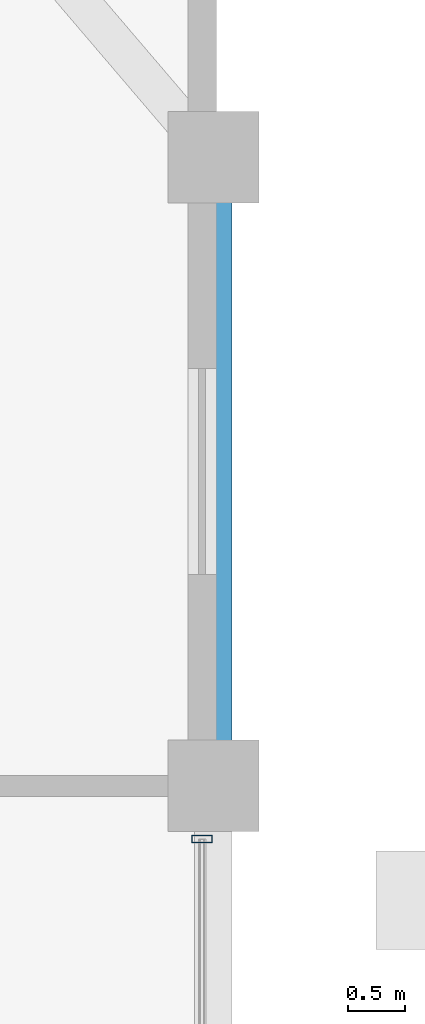
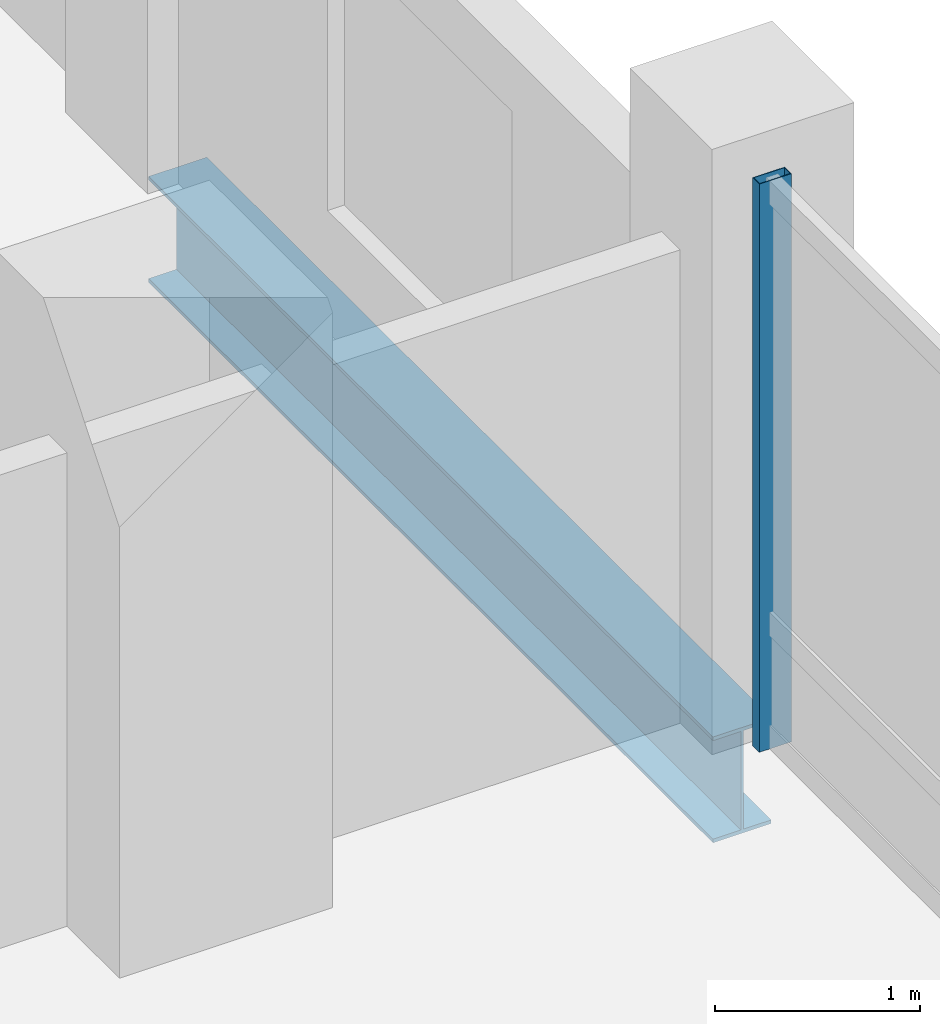
# One storey, part 12 of 20: 1 beam, 1 member, 1 element without a shape of its own.
"""IFC4 building model written with IfcOpenShell, lengths in metres."""

import ifcopenshell
import ifcopenshell.guid

model = None  # the IFC model being written
_history = None  # IfcOwnerHistory: only IFC2X3 demands one
_inside = {}  # id of a spatial element -> (the spatial element, [elements in it])
_under = {}  # id of a project, library or spatial element -> (it, [spatial elements below it])
_declared = {}  # id of a project -> (the project, [libraries it declares])
_typed = {}  # id of a type object -> (the type object, [elements of that type])
_made_of = {}  # id of a material, layer set ... -> (it, [elements and type objects made of it])


def new_model(schema):
    """Start an empty IFC model of exactly this schema.

    Asked for "IFC4X3", IfcOpenShell would pick the latest addendum, in which some entities
    have other attributes; the version numbers below select the first issue.
    IFC2X3 requires an IfcOwnerHistory on every rooted entity: one is made here for all.
    """
    global model, _history
    if schema == "IFC4X3":
        model = ifcopenshell.file(schema_version=(4, 3, 0, 0))
    else:
        model = ifcopenshell.file(schema=schema)
    _inside.clear()
    _under.clear()
    _declared.clear()
    _typed.clear()
    _made_of.clear()
    _history = None
    if model.schema == "IFC2X3":
        org = make("IfcOrganization", Name="unknown")
        user = make(
            "IfcPersonAndOrganization",
            ThePerson=make("IfcPerson", FamilyName="unknown"),
            TheOrganization=org,
        )
        app = make(
            "IfcApplication",
            ApplicationDeveloper=org,
            Version="unknown",
            ApplicationFullName="unknown",
            ApplicationIdentifier="unknown",
        )
        _history = make(
            "IfcOwnerHistory",
            OwningUser=user,
            OwningApplication=app,
            ChangeAction="ADDED",
            CreationDate=0,
        )
    return model


def make(cls, **values):
    """One entity of the class cls with the attributes given. An attribute that is None is left unset."""
    return model.create_entity(
        cls, **{name: value for name, value in values.items() if value is not None}
    )


def rooted(cls, **values):
    """An entity with a GlobalId (a new one), such as an element, a storey or a relation."""
    return make(cls, GlobalId=ifcopenshell.guid.new(), OwnerHistory=_history, **values)


def si_unit(unit_type, name, prefix=None):
    """IfcSIUnit, for example si_unit("LENGTHUNIT", "METRE", prefix="MILLI")."""
    return make("IfcSIUnit", UnitType=unit_type, Prefix=prefix, Name=name)


def assignment(units):
    """IfcUnitAssignment: the units of a project."""
    return None if units is None else make("IfcUnitAssignment", Units=units)


def point(xyz):
    """IfcCartesianPoint."""
    return None if xyz is None else make("IfcCartesianPoint", Coordinates=xyz)


def direction(xyz):
    """IfcDirection."""
    return None if xyz is None else make("IfcDirection", DirectionRatios=xyz)


def frame(location, z_axis=None, x_axis=None):
    """IfcAxis2Placement3D, a coordinate frame: its origin and axes. An axis left out is left unset."""
    return make(
        "IfcAxis2Placement3D",
        Location=point(location),
        Axis=direction(z_axis),
        RefDirection=direction(x_axis),
    )


def frame_2d(location, x_axis=None):
    """IfcAxis2Placement2D, a coordinate frame in the plane: its origin and x axis."""
    return make(
        "IfcAxis2Placement2D", Location=point(location), RefDirection=direction(x_axis)
    )


def origin():
    """The frame at (0, 0, 0) with its axes left unset."""
    return frame((0.0, 0.0, 0.0))


def origin_2d():
    """The frame at (0, 0) in the plane with its x axis left unset."""
    return frame_2d((0.0, 0.0))


def place(relative_to, where):
    """IfcLocalPlacement: puts the frame where relative to a parent placement (None: the world)."""
    return make(
        "IfcLocalPlacement", PlacementRelTo=relative_to, RelativePlacement=where
    )


def context(
    kind, dimensions, precision=None, world=None, true_north=None, identifier=None
):
    """IfcGeometricRepresentationContext, for example the 3D "Model" context."""
    return make(
        "IfcGeometricRepresentationContext",
        ContextIdentifier=identifier,
        ContextType=kind,
        CoordinateSpaceDimension=dimensions,
        Precision=precision,
        WorldCoordinateSystem=world,
        TrueNorth=true_north,
    )


def subcontext(parent, identifier, kind, view, scale=None):
    """IfcGeometricRepresentationSubContext, for example "Body" below "Model"."""
    return make(
        "IfcGeometricRepresentationSubContext",
        ContextIdentifier=identifier,
        ContextType=kind,
        ParentContext=parent,
        TargetScale=scale,
        TargetView=view,
    )


def project(units=None, contexts=None):
    """IfcProject with its units and contexts."""
    return rooted(
        "IfcProject",
        Name="project",
        RepresentationContexts=contexts,
        UnitsInContext=assignment(units),
    )


def spatial(cls, under=None, at=None, **own):
    """A site, building, storey or space (cls), placed at a placement, below another one or the project."""
    s = rooted(cls, ObjectPlacement=at, **own)
    if under is not None:
        _under.setdefault(under.id(), (under, []))[1].append(s)
    return s


def profile(cls, at=None, kind="AREA", **sizes):
    """A parametric profile (cls). Its sizes go by their IFC names, for example OverallWidth=200.0."""
    return make(cls, ProfileType=kind, Position=at, **sizes)


def hollow_rectangle(**sizes):
    """IfcRectangleHollowProfileDef."""
    return profile("IfcRectangleHollowProfileDef", **sizes)


def i_section(**sizes):
    """IfcIShapeProfileDef."""
    return profile("IfcIShapeProfileDef", **sizes)


def extrude(swept, where, along, depth):
    """IfcExtrudedAreaSolid: the profile swept, set in the frame where, extruded along a direction by depth."""
    return make(
        "IfcExtrudedAreaSolid",
        SweptArea=swept,
        Position=where,
        ExtrudedDirection=direction(along),
        Depth=depth,
    )


def shape(context_of_items, identifier, shape_type, items):
    """IfcShapeRepresentation: the items that make up one representation, for example the "Body"."""
    return make(
        "IfcShapeRepresentation",
        ContextOfItems=context_of_items,
        RepresentationIdentifier=identifier,
        RepresentationType=shape_type,
        Items=items,
    )


def material(Name=None, Category=None):
    """IfcMaterial."""
    return make("IfcMaterial", Name=Name, Category=Category)


def layer(
    of_material, thickness, ventilated=None, Name=None, Category=None, Priority=None
):
    """IfcMaterialLayer: one layer of a wall or slab, of a material (None: an air gap)."""
    return make(
        "IfcMaterialLayer",
        Material=of_material,
        LayerThickness=thickness,
        IsVentilated=ventilated,
        Name=Name,
        Category=Category,
        Priority=Priority,
    )


def layer_set(layers, Name=None):
    """IfcMaterialLayerSet."""
    return make("IfcMaterialLayerSet", MaterialLayers=layers, LayerSetName=Name)


def material_profile(
    of_material, cross_section, Name=None, Category=None, Priority=None
):
    """IfcMaterialProfile: a cross section and its material."""
    return make(
        "IfcMaterialProfile",
        Name=Name,
        Material=of_material,
        Profile=cross_section,
        Priority=Priority,
        Category=Category,
    )


def profile_set(profiles, Name=None, composite=None):
    """IfcMaterialProfileSet."""
    return make(
        "IfcMaterialProfileSet",
        Name=Name,
        MaterialProfiles=profiles,
        CompositeProfile=composite,
    )


def made_of(thing, what):
    """Note that an element or type object is made of a material, layer set ...; save() writes the relation."""
    if what is not None:
        _made_of.setdefault(what.id(), (what, []))[1].append(thing)
    return thing


def type_object(cls, material=None, **own):
    """A type object (cls), such as IfcWallType, which elements share."""
    return made_of(rooted(cls, **own), material)


def element(
    cls,
    number,
    at=None,
    inside=None,
    cuts=None,
    type_object=None,
    material=None,
    context=None,
    identifier="Body",
    shape_type=None,
    held_by="IfcProductDefinitionShape",
    body=None,
    shapes=None,
    **own,
):
    """One element of the class cls, such as IfcWall. Its Tag is "e" and its number.

    at: its placement. inside: the storey or other place that contains it. cuts: it is an
    opening in that element (IfcRelVoidsElement). A single representation is given by context,
    identifier, shape_type and body (its items); several are given by shapes. held_by: the class
    of the entity that holds the representations. save() writes the other relations.
    """
    e = rooted(cls, Tag="e%d" % number, ObjectPlacement=at, **own)
    if body is not None:
        shapes = [shape(context, identifier, shape_type, body)]
    if shapes is not None:
        e.Representation = make(held_by, Representations=shapes)
    if inside is not None:
        _inside.setdefault(inside.id(), (inside, []))[1].append(e)
    if cuts is not None:
        rooted(
            "IfcRelVoidsElement", RelatingBuildingElement=cuts, RelatedOpeningElement=e
        )
    if type_object is not None:
        _typed.setdefault(type_object.id(), (type_object, []))[1].append(e)
    return made_of(e, material)


def aggregate(whole, parts):
    """IfcRelAggregates: a whole, such as a stair, and the parts it consists of."""
    return rooted("IfcRelAggregates", RelatingObject=whole, RelatedObjects=parts)


def save(model, path):
    """Write the relations noted so far, then the file.

    IfcRelAggregates (storeys below a building ...), IfcRelContainedInSpatialStructure (elements
    in a storey), IfcRelDefinesByType, IfcRelAssociatesMaterial and IfcRelDeclares: one each for
    every whole, place, type object, material and project.
    """
    for whole, parts in _under.values():
        aggregate(whole, parts)
    for where, things in _inside.values():
        rooted(
            "IfcRelContainedInSpatialStructure",
            RelatedElements=things,
            RelatingStructure=where,
        )
    for kind, things in _typed.values():
        rooted("IfcRelDefinesByType", RelatedObjects=things, RelatingType=kind)
    for what, things in _made_of.values():
        rooted("IfcRelAssociatesMaterial", RelatedObjects=things, RelatingMaterial=what)
    for by, libraries in _declared.values():
        rooted("IfcRelDeclares", RelatingContext=by, RelatedDefinitions=libraries)
    model.write(path)


model = new_model("IFC4")

# Units and contexts
model_context = context("Model", 3, precision=1e-05, world=origin(), true_north=direction((0.0, 1.0)))
body_context = subcontext(model_context, "Body", "Model", "MODEL_VIEW")
ifc_project = project(units=[si_unit("LENGTHUNIT", "METRE"), si_unit("AREAUNIT", "SQUARE_METRE"), si_unit("VOLUMEUNIT", "CUBIC_METRE"), si_unit("PLANEANGLEUNIT", "RADIAN"), si_unit("MASSUNIT", "GRAM", prefix="KILO")], contexts=[model_context])

# Site, building, storey
site_placement = place(None, origin())
site = spatial("IfcSite", under=ifc_project, at=site_placement, CompositionType="ELEMENT")
building_placement = place(site_placement, origin())
building = spatial("IfcBuilding", under=site, at=building_placement, Name="Barlavira Tower and Art Museum", CompositionType="ELEMENT")
storey_placement = place(building_placement, frame((0.0, 0.0, 102.60009765625)))
storey = spatial("IfcBuildingStorey", under=building, at=storey_placement, Name="L25", CompositionType="ELEMENT", Elevation=102.60009765625)

# Curtain wall, member
ifc_material_1 = material(Name="Low-iron coastal laminated glass", Category="glass")
ifc_layer = layer(ifc_material_1, 0.18994140625, Name="Low-iron coastal laminated glass")
ifc_layer_set = layer_set([ifc_layer], Name="Low-iron coastal laminated glass")
curtain_wall_type = type_object("IfcCurtainWallType", Name="Pale-Metal Unitised Curtain Wall Zone 2", PredefinedType="NOTDEFINED", material=ifc_layer_set)
curtain_wall_placement = place(storey_placement, origin())
curtain_wall = element("IfcCurtainWall", 1, at=curtain_wall_placement, inside=storey, type_object=curtain_wall_type, Name="L25 Curtain Wall CW2-L25-E-B3", PredefinedType="NOTDEFINED")
ifc_material_2 = material(Name="Pale anodised aluminium", Category="aluminium")
ifc_material_profile_1 = material_profile(ifc_material_2, hollow_rectangle(XDim=0.06494140625, YDim=0.179931640625, WallThickness=0.00390625, at=origin_2d()), Name="ALU-MULL 65x180x4")
ifc_profile_set_1 = profile_set([ifc_material_profile_1], Name="Pale anodised aluminium")
member_type = type_object("IfcMemberType", Name="Curtain Wall Pale-Metal Mullion 65x180", PredefinedType="MULLION", material=ifc_profile_set_1)
member_placement = place(storey_placement, frame((20.14990234375, 7.034912109375, 0.0), z_axis=(0.0, 0.0, 1.0), x_axis=(0.0, 1.0, 0.0)))
member = element("IfcMember", 2, at=member_placement, type_object=member_type, Name="CW2-L25-E-B3 Mullion 3", PredefinedType="MULLION", context=body_context, shape_type="SweptSolid", body=[
    extrude(hollow_rectangle(XDim=0.06494140625, YDim=0.179931640625, WallThickness=0.00390625, at=origin_2d()), origin(), (0.0, 0.0, 1.0), 3.3798828125),
])
aggregate(curtain_wall, [member])

# Beam
ifc_material_3 = material(Name="Steel S355", Category="steel")
ifc_material_profile_2 = material_profile(ifc_material_3, i_section(OverallWidth=0.327880859375, OverallDepth=0.62890625, WebThickness=0.013916015625, FlangeThickness=0.021484375, at=origin_2d()), Name="W610x174.0")
ifc_profile_set_2 = profile_set([ifc_material_profile_2], Name="Steel S355")
beam_type = type_object("IfcBeamType", Name="Perimeter Spandrel Edge Beam W610x174 Steel S355", PredefinedType="SPANDREL", material=ifc_profile_set_2)
beam_placement = place(storey_placement, frame((20.25, 7.5, -0.53466796875), z_axis=(0.0, 1.0, 0.0), x_axis=(-1.0, 0.0, 0.0)))
element("IfcBeam", 3, at=beam_placement, inside=storey, type_object=beam_type, Name="L25 Spandrel 7", PredefinedType="SPANDREL", context=body_context, shape_type="SweptSolid", body=[
    extrude(i_section(OverallWidth=0.327880859375, OverallDepth=0.62890625, WebThickness=0.013916015625, FlangeThickness=0.021484375, at=origin_2d()), origin(), (0.0, 0.0, 1.0), 5.5),
])

save(model, "model.ifc")
